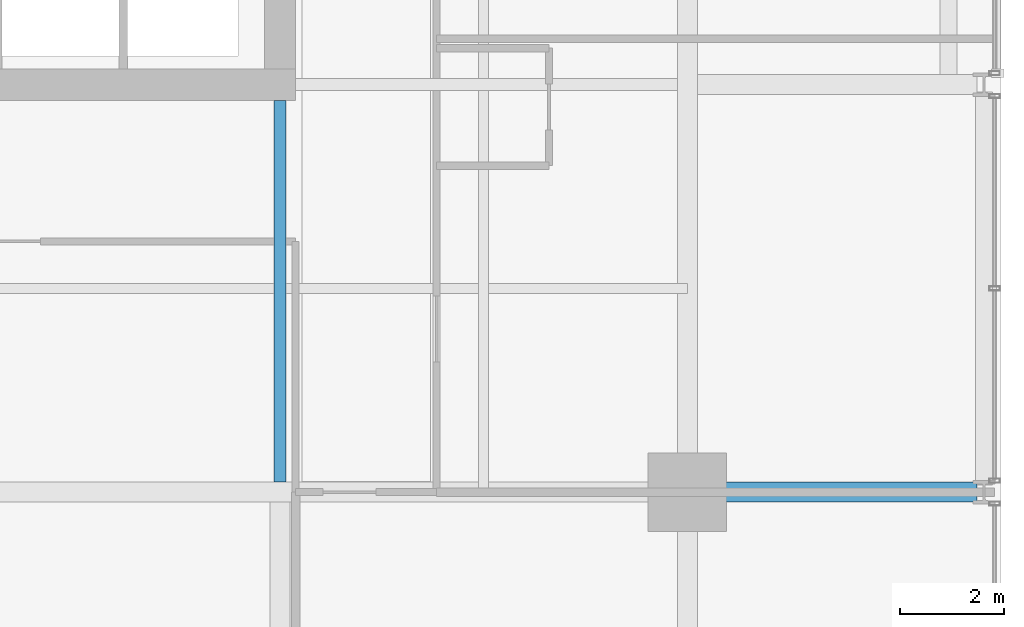
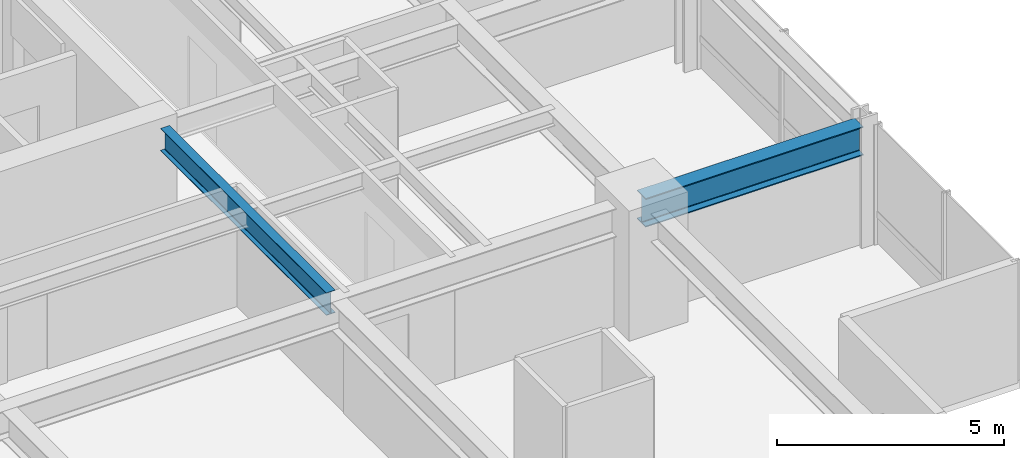
# One storey, part 12 of 33: 2 beams.
"""IFC4 building model written with IfcOpenShell, lengths in metres."""

from ifc_helpers import new_model, si_unit, direction, frame, origin, origin_2d, place, context, subcontext, project, spatial, i_section, extrude, material, material_profile, profile_set, type_object, element, save


model = new_model("IFC4")

# Units and contexts
model_context = context("Model", 3, precision=1e-05, world=origin(), true_north=direction((0.0, 1.0)))
body_context = subcontext(model_context, "Body", "Model", "MODEL_VIEW")
ifc_project = project(units=[si_unit("LENGTHUNIT", "METRE"), si_unit("AREAUNIT", "SQUARE_METRE"), si_unit("VOLUMEUNIT", "CUBIC_METRE"), si_unit("PLANEANGLEUNIT", "RADIAN"), si_unit("MASSUNIT", "GRAM", prefix="KILO")], contexts=[model_context])

# Site, building, storey
site_placement = place(None, origin())
site = spatial("IfcSite", under=ifc_project, at=site_placement, CompositionType="ELEMENT")
building_placement = place(site_placement, origin())
building = spatial("IfcBuilding", under=site, at=building_placement, Name="Drelvath Grand Hotel", CompositionType="ELEMENT")
storey_placement = place(building_placement, frame((0.0, 0.0, 105.800048828125)))
storey = spatial("IfcBuildingStorey", under=building, at=storey_placement, Name="L26", CompositionType="ELEMENT", Elevation=105.800048828125)

# Beams
ifc_material = material(Name="Steel ASTM A992 Gr 50", Category="steel")
ifc_material_profile_1 = material_profile(ifc_material, i_section(OverallWidth=0.228271484375, OverallDepth=0.607666015625, WebThickness=0.01123046875, FlangeThickness=0.017333984375, FilletRadius=0.02001953125, at=origin_2d()), Name="W24X76")
ifc_profile_set_1 = profile_set([ifc_material_profile_1], Name="Steel ASTM A992 Gr 50")
beam_type_1 = type_object("IfcBeamType", Name="Primary Floor Girder W24X76", PredefinedType="BEAM", material=ifc_profile_set_1)
beam_1_placement = place(storey_placement, frame((8.39990234375, 10.990234375, 2.93603515625), z_axis=(0.0, 1.0, 0.0), x_axis=(-1.0, 0.0, 0.0)))
element("IfcBeam", 1, at=beam_1_placement, inside=storey, type_object=beam_type_1, Name="L26 South Core Tie 6", PredefinedType="BEAM", context=body_context, shape_type="SweptSolid", body=[
    extrude(i_section(OverallWidth=0.228271484375, OverallDepth=0.607666015625, WebThickness=0.01123046875, FlangeThickness=0.017333984375, FilletRadius=0.02001953125, at=origin_2d()), origin(), (0.0, 0.0, 1.0), 7.309814453125),
])
ifc_material_profile_2 = material_profile(ifc_material, i_section(OverallWidth=0.380615234375, OverallDepth=0.773193359375, WebThickness=0.0166015625, FlangeThickness=0.027099609375, FilletRadius=0.02490234375, at=origin_2d()), Name="W30X173")
ifc_profile_set_2 = profile_set([ifc_material_profile_2], Name="Steel ASTM A992 Gr 50")
beam_type_2 = type_object("IfcBeamType", Name="Primary Floor Girder W30X173", PredefinedType="BEAM", material=ifc_profile_set_2)
beam_2_placement = place(storey_placement, frame((16.199951171875, 10.800048828125, 2.853271484375), z_axis=(1.0, 0.0, 0.0), x_axis=(0.0, 1.0, 0.0)))
element("IfcBeam", 2, at=beam_2_placement, inside=storey, type_object=beam_type_2, Name="L26 East Grid Girder C", PredefinedType="BEAM", context=body_context, shape_type="SweptSolid", body=[
    extrude(i_section(OverallWidth=0.380615234375, OverallDepth=0.773193359375, WebThickness=0.0166015625, FlangeThickness=0.027099609375, FilletRadius=0.02490234375, at=origin_2d()), origin(), (0.0, 0.0, 1.0), 5.5400390625),
])

save(model, "model.ifc")
